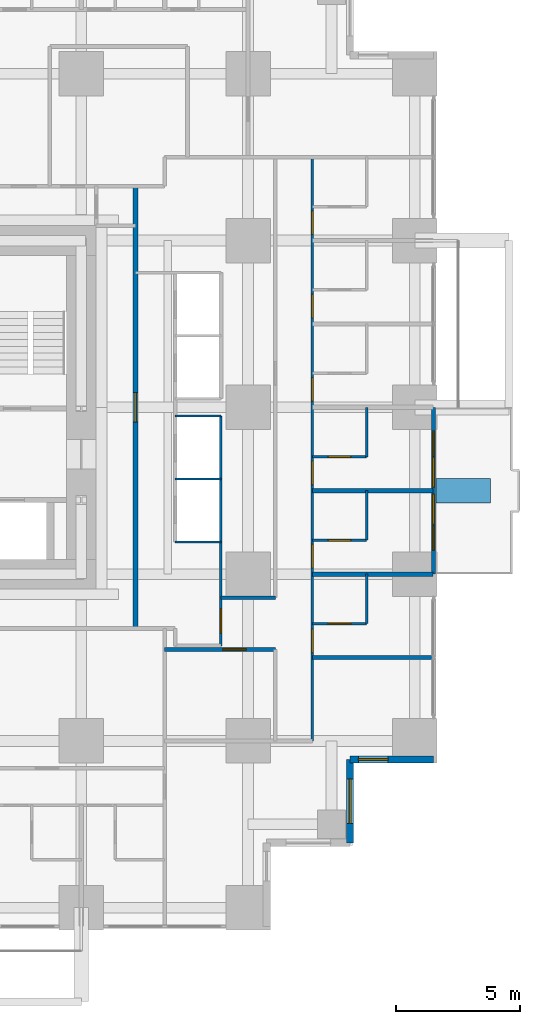
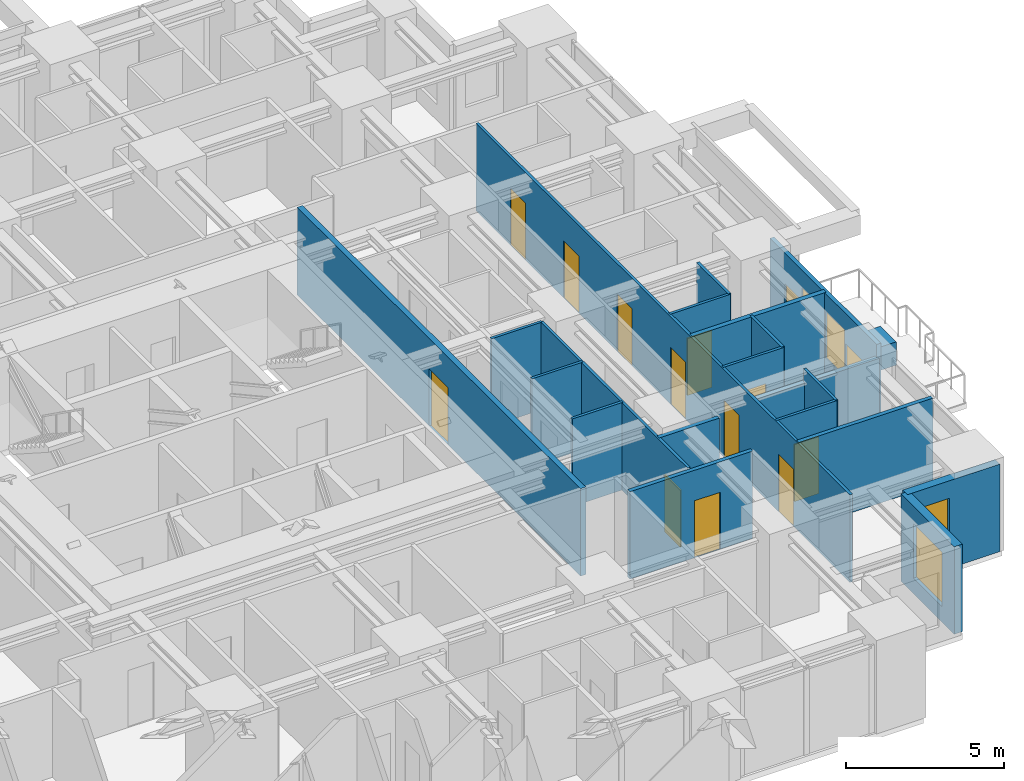
# One storey, part 11 of 15: 21 walls, 14 doors, 4 windows, 18 openings.
"""IFC4 building model written with IfcOpenShell, lengths in metres."""

from ifc_helpers import new_model, si_unit, direction, frame, frame_2d, origin, place, context, subcontext, project, spatial, rectangle, extrude, material, layer, layer_set, type_object, element, fill, save


model = new_model("IFC4")

# Units and contexts
model_context = context("Model", 3, precision=1e-05, world=origin(), true_north=direction((0.0, 1.0)))
body_context = subcontext(model_context, "Body", "Model", "MODEL_VIEW")
ifc_project = project(units=[si_unit("LENGTHUNIT", "METRE"), si_unit("AREAUNIT", "SQUARE_METRE"), si_unit("VOLUMEUNIT", "CUBIC_METRE"), si_unit("PLANEANGLEUNIT", "RADIAN"), si_unit("MASSUNIT", "GRAM", prefix="KILO")], contexts=[model_context])

# Site, building, storey
site_placement = place(None, origin())
site = spatial("IfcSite", under=ifc_project, at=site_placement, CompositionType="ELEMENT")
building_placement = place(site_placement, origin())
building = spatial("IfcBuilding", under=site, at=building_placement, Name="Nyansa Garden Tower", CompositionType="ELEMENT")
storey_placement = place(building_placement, frame((0.0, 0.0, 61.199951171875)))
storey = spatial("IfcBuildingStorey", under=building, at=storey_placement, Name="L16", CompositionType="ELEMENT", Elevation=61.199951171875)

# Walls
ifc_material_1 = material(Name="Dense blockwork, plastered both sides, 55 dB", Category="masonry")
ifc_layer_1 = layer(ifc_material_1, 0.175048828125)
ifc_layer_set_1 = layer_set([ifc_layer_1], Name="Acoustic party wall PW175")
wall_type_1 = type_object("IfcWallType", Name="Acoustic party wall PW175", PredefinedType="PARTITIONING", material=ifc_layer_set_1)
wall_1_placement = place(storey_placement, frame((36.35009765625, 13.5, 0.0), z_axis=(0.0, 0.0, 1.0), x_axis=(1.0, 0.0, 0.0)))
element("IfcWall", 1, at=wall_1_placement, inside=storey, type_object=wall_type_1, Name="Party wall", PredefinedType="PARTITIONING", context=body_context, shape_type="SweptSolid", body=[
    extrude(rectangle(XDim=4.8837890625, YDim=0.175048828125, at=frame_2d((2.44189453125, 0.0))), origin(), (0.0, 0.0, 1.0), 2.876953125),
])
wall_2_placement = place(storey_placement, frame((36.35009765625, 16.875, 0.0), z_axis=(0.0, 0.0, 1.0), x_axis=(1.0, 0.0, 0.0)))
element("IfcWall", 2, at=wall_2_placement, inside=storey, type_object=wall_type_1, Name="Party wall", PredefinedType="PARTITIONING", context=body_context, shape_type="SweptSolid", body=[
    extrude(rectangle(XDim=4.8837890625, YDim=0.175048828125, at=frame_2d((2.44189453125, 0.0))), origin(), (0.0, 0.0, 1.0), 3.375),
])

# Wall, openings, doors, windows
ifc_material_2 = material(Name="Black aluminium framed glazed screen", Category="aluminium")
ifc_layer_2 = layer(ifc_material_2, 0.14990234375)
ifc_layer_set_2 = layer_set([ifc_layer_2], Name="Balcony screen wall BW150")
wall_type_2 = type_object("IfcWallType", Name="Balcony screen wall BW150", PredefinedType="SOLIDWALL", material=ifc_layer_set_2)
wall_3_placement = place(storey_placement, frame((41.25, 20.25, 0.0), z_axis=(0.0, 0.0, 1.0), x_axis=(0.0, -1.0, 0.0)))
wall_3 = element("IfcWall", 3, at=wall_3_placement, inside=storey, type_object=wall_type_2, Name="Glazed screen wall L16 E", PredefinedType="SOLIDWALL", context=body_context, shape_type="SweptSolid", body=[
    extrude(rectangle(XDim=6.75, YDim=0.14990234375, at=frame_2d((3.375, 0.0))), origin(), (0.0, 0.0, 1.0), 3.375),
])
opening_1_placement = place(wall_3_placement, frame((0.96240234375, 0.0, 0.0)))
opening_1 = element("IfcOpeningElement", 4, at=opening_1_placement, cuts=wall_3, Name="Opening D20", PredefinedType="OPENING", context=body_context, shape_type="SweptSolid", body=[
    extrude(rectangle(XDim=1.0, YDim=2.199951171875, at=frame_2d((0.5, 1.10009765625))), frame((0.0, 0.0849609375, 0.0), z_axis=(0.0, -1.0, 0.0), x_axis=(1.0, 0.0, 0.0)), (0.0, 0.0, 1.0), 0.169921875),
])
opening_2_placement = place(wall_3_placement, frame((2.02490234375, 0.0, 0.89990234375)))
opening_2 = element("IfcOpeningElement", 5, at=opening_2_placement, cuts=wall_3, Name="Opening W6", PredefinedType="OPENING", context=body_context, shape_type="SweptSolid", body=[
    extrude(rectangle(XDim=1.199951171875, YDim=1.800048828125, at=frame_2d((0.60009765625, 0.89990234375))), frame((0.0, 0.0849609375, 0.0), z_axis=(0.0, -1.0, 0.0), x_axis=(1.0, 0.0, 0.0)), (0.0, 0.0, 1.0), 0.169921875),
])
opening_3_placement = place(wall_3_placement, frame((4.78759765625, 0.0, 0.0)))
opening_3 = element("IfcOpeningElement", 6, at=opening_3_placement, cuts=wall_3, Name="Opening D20", PredefinedType="OPENING", context=body_context, shape_type="SweptSolid", body=[
    extrude(rectangle(XDim=1.0, YDim=2.199951171875, at=frame_2d((0.5, 1.10009765625))), frame((0.0, 0.0849609375, 0.0), z_axis=(0.0, -1.0, 0.0), x_axis=(1.0, 0.0, 0.0)), (0.0, 0.0, 1.0), 0.169921875),
])
opening_4_placement = place(wall_3_placement, frame((3.52490234375, 0.0, 0.89990234375)))
opening_4 = element("IfcOpeningElement", 7, at=opening_4_placement, cuts=wall_3, Name="Opening W6", PredefinedType="OPENING", context=body_context, shape_type="SweptSolid", body=[
    extrude(rectangle(XDim=1.199951171875, YDim=1.800048828125, at=frame_2d((0.60009765625, 0.89990234375))), frame((0.0, 0.0849609375, 0.0), z_axis=(0.0, -1.0, 0.0), x_axis=(1.0, 0.0, 0.0)), (0.0, 0.0, 1.0), 0.169921875),
])
ifc_material_3 = material(Name="Black aluminium framed glazed door", Category="aluminium")
door_type_1 = type_object("IfcDoorType", Name="Balcony door D20 1000x2200", OperationType="NOTDEFINED", PredefinedType="DOOR", material=ifc_material_3)
door_1_placement = place(opening_1_placement, origin())
door_1 = element("IfcDoor", 8, at=door_1_placement, inside=storey, type_object=door_type_1, Name="Balcony door L16", OperationType="SINGLE_SWING_LEFT", OverallHeight=2.199951171875, OverallWidth=1.0, PredefinedType="DOOR", context=body_context, shape_type="SweptSolid", body=[
    extrude(rectangle(XDim=1.0, YDim=2.199951171875, at=frame_2d((0.5, 1.10009765625))), frame((0.0, 0.02490234375, 0.0), z_axis=(0.0, -1.0, 0.0), x_axis=(1.0, 0.0, 0.0)), (0.0, 0.0, 1.0), 0.050048828125),
])
fill(opening_1, door_1)
door_2_placement = place(opening_3_placement, origin())
door_2 = element("IfcDoor", 9, at=door_2_placement, inside=storey, type_object=door_type_1, Name="Balcony door L16", OperationType="SINGLE_SWING_RIGHT", OverallHeight=2.199951171875, OverallWidth=1.0, PredefinedType="DOOR", context=body_context, shape_type="SweptSolid", body=[
    extrude(rectangle(XDim=1.0, YDim=2.199951171875, at=frame_2d((0.5, 1.10009765625))), frame((0.0, 0.02490234375, 0.0), z_axis=(0.0, -1.0, 0.0), x_axis=(1.0, 0.0, 0.0)), (0.0, 0.0, 1.0), 0.050048828125),
])
fill(opening_3, door_2)
ifc_material_4 = material(Name="Black aluminium frame, dark tinted double glazing", Category="aluminium")
window_type_1 = type_object("IfcWindowType", Name="Balcony window W6 1200x1800", PartitioningType="SINGLE_PANEL", PredefinedType="WINDOW", material=ifc_material_4)
window_1_placement = place(opening_2_placement, origin())
window_1 = element("IfcWindow", 10, at=window_1_placement, inside=storey, type_object=window_type_1, Name="Window L16", OverallHeight=1.800048828125, OverallWidth=1.199951171875, PartitioningType="SINGLE_PANEL", PredefinedType="WINDOW", context=body_context, shape_type="SweptSolid", body=[
    extrude(rectangle(XDim=1.199951171875, YDim=1.800048828125, at=frame_2d((0.60009765625, 0.89990234375))), frame((0.0, 0.030029296875, 0.0), z_axis=(0.0, -1.0, 0.0), x_axis=(1.0, 0.0, 0.0)), (0.0, 0.0, 1.0), 0.06005859375),
])
fill(opening_2, window_1)
window_2_placement = place(opening_4_placement, origin())
window_2 = element("IfcWindow", 11, at=window_2_placement, inside=storey, type_object=window_type_1, Name="Window L16", OverallHeight=1.800048828125, OverallWidth=1.199951171875, PartitioningType="SINGLE_PANEL", PredefinedType="WINDOW", context=body_context, shape_type="SweptSolid", body=[
    extrude(rectangle(XDim=1.199951171875, YDim=1.800048828125, at=frame_2d((0.60009765625, 0.89990234375))), frame((0.0, 0.030029296875, 0.0), z_axis=(0.0, -1.0, 0.0), x_axis=(1.0, 0.0, 0.0)), (0.0, 0.0, 1.0), 0.06005859375),
])
fill(opening_4, window_2)

# Wall, opening, door
ifc_material_5 = material(Name="Concrete blockwork, plastered, 60 minute fire resisting", Category="masonry")
ifc_layer_3 = layer(ifc_material_5, 0.199951171875)
ifc_layer_set_3 = layer_set([ifc_layer_3], Name="Corridor wall FW200")
wall_type_3 = type_object("IfcWallType", Name="Corridor wall FW200", PredefinedType="PARTITIONING", material=ifc_layer_set_3)
wall_4_placement = place(storey_placement, frame((29.199951171875, 11.300048828125, 0.0), z_axis=(0.0, 0.0, 1.0), x_axis=(0.0, 1.0, 0.0)))
wall_4 = element("IfcWall", 12, at=wall_4_placement, inside=storey, type_object=wall_type_3, Name="Corridor wall", PredefinedType="PARTITIONING", context=body_context, shape_type="SweptSolid", body=[
    extrude(rectangle(XDim=17.89990234375, YDim=0.199951171875, at=frame_2d((8.949951171875, 0.0))), origin(), (0.0, 0.0, 1.0), 3.375),
])
opening_5_placement = place(wall_4_placement, frame((8.35009765625, 0.0, 0.0)))
opening_5 = element("IfcOpeningElement", 13, at=opening_5_placement, cuts=wall_4, Name="Opening D06", PredefinedType="OPENING", context=body_context, shape_type="SweptSolid", body=[
    extrude(rectangle(XDim=1.199951171875, YDim=2.199951171875, at=frame_2d((0.60009765625, 1.10009765625))), frame((0.0, 0.10986328125, 0.0), z_axis=(0.0, -1.0, 0.0), x_axis=(1.0, 0.0, 0.0)), (0.0, 0.0, 1.0), 0.219970703125),
])
ifc_material_6 = material(Name="Steel door, 120 minute fire resisting", Category="steel")
door_type_2 = type_object("IfcDoorType", Name="Lobby door D06 1200x2200", OperationType="DOUBLE_DOOR_SINGLE_SWING", PredefinedType="DOOR", material=ifc_material_6)
door_3_placement = place(opening_5_placement, origin())
door_3 = element("IfcDoor", 14, at=door_3_placement, inside=storey, type_object=door_type_2, Name="Low-rise lift lobby door", OperationType="DOUBLE_DOOR_SINGLE_SWING", OverallHeight=2.199951171875, OverallWidth=1.199951171875, PredefinedType="DOOR", context=body_context, shape_type="SweptSolid", body=[
    extrude(rectangle(XDim=1.199951171875, YDim=2.199951171875, at=frame_2d((0.60009765625, 1.10009765625))), frame((0.0, 0.02490234375, 0.0), z_axis=(0.0, -1.0, 0.0), x_axis=(1.0, 0.0, 0.0)), (0.0, 0.0, 1.0), 0.050048828125),
])
fill(opening_5, door_3)

# Walls
ifc_material_7 = material(Name="Steel-stud shaft wall, two layers fire-rated board, EI 120", Category="steel")
ifc_layer_4 = layer(ifc_material_7, 0.10009765625)
ifc_layer_set_4 = layer_set([ifc_layer_4], Name="Lift shaft wall SW100")
wall_type_4 = type_object("IfcWallType", Name="Lift shaft wall SW100", PredefinedType="SHEAR", material=ifc_layer_set_4)
for number, where, z_axis, x_axis, name in (
    (15, (30.800048828125, 14.800048828125, 0.0), (0.0, 0.0, 1.0), (1.0, 0.0, 0.0), "Lift shaft wall"),
    (16, (30.800048828125, 17.35009765625, 0.0), (0.0, 0.0, 1.0), (1.0, 0.0, 0.0), "Lift shaft wall"),
    (17, (30.800048828125, 19.89990234375, 0.0), (0.0, 0.0, 1.0), (1.0, 0.0, 0.0), "Lift shaft wall"),
):
    element("IfcWall", number, at=place(storey_placement, frame(where, z_axis=z_axis, x_axis=x_axis)), inside=storey, type_object=wall_type_4, Name=name, PredefinedType="SHEAR", context=body_context, shape_type="SweptSolid", body=[
        extrude(rectangle(XDim=1.849853515625, YDim=0.10009765625, at=frame_2d((0.9248046875, 0.0))), origin(), (0.0, 0.0, 1.0), 3.375),
    ])

# Wall, opening, door
wall_5_placement = place(storey_placement, frame((32.64990234375, 10.60009765625, 0.0), z_axis=(0.0, 0.0, 1.0), x_axis=(0.0, 1.0, 0.0)))
wall_5 = element("IfcWall", 18, at=wall_5_placement, inside=storey, type_object=wall_type_4, Name="Lift shaft wall", PredefinedType="SHEAR", context=body_context, shape_type="SweptSolid", body=[
    extrude(rectangle(XDim=9.2998046875, YDim=0.10009765625, at=frame_2d((4.64990234375, 0.0))), origin(), (0.0, 0.0, 1.0), 3.375),
])
opening_6_placement = place(wall_5_placement, frame((0.5, 0.0, 0.0)))
opening_6 = element("IfcOpeningElement", 19, at=opening_6_placement, cuts=wall_5, Name="Opening D03", PredefinedType="OPENING", context=body_context, shape_type="SweptSolid", body=[
    extrude(rectangle(XDim=1.0, YDim=2.199951171875, at=frame_2d((0.5, 1.10009765625))), frame((0.0, 0.06005859375, 0.0), z_axis=(0.0, -1.0, 0.0), x_axis=(1.0, 0.0, 0.0)), (0.0, 0.0, 1.0), 0.1201171875),
])
ifc_material_8 = material(Name="Timber flush door, 60 minute fire resisting", Category="wood")
door_type_3 = type_object("IfcDoorType", Name="Cluster entrance door D03 1000x2200", OperationType="SINGLE_SWING_LEFT", PredefinedType="DOOR", material=ifc_material_8)
door_4_placement = place(opening_6_placement, origin())
door_4 = element("IfcDoor", 20, at=door_4_placement, inside=storey, type_object=door_type_3, Name="Door L16-050", OperationType="SINGLE_SWING_LEFT", OverallHeight=2.199951171875, OverallWidth=1.0, PredefinedType="DOOR", context=body_context, shape_type="SweptSolid", body=[
    extrude(rectangle(XDim=1.0, YDim=2.199951171875, at=frame_2d((0.5, 1.10009765625))), frame((0.0, 0.02490234375, 0.0), z_axis=(0.0, -1.0, 0.0), x_axis=(1.0, 0.0, 0.0)), (0.0, 0.0, 1.0), 0.050048828125),
])
fill(opening_6, door_4)

ifc_material_9 = material(Name="Blockwork, plastered both sides", Category="masonry")
ifc_layer_5 = layer(ifc_material_9, 0.14990234375)
ifc_layer_set_5 = layer_set([ifc_layer_5], Name="Partition PW150")
wall_type_5 = type_object("IfcWallType", Name="Partition PW150", PredefinedType="PARTITIONING", material=ifc_layer_set_5)
wall_6_placement = place(storey_placement, frame((30.375, 10.449951171875, 0.0), z_axis=(0.0, 0.0, 1.0), x_axis=(1.0, 0.0, 0.0)))
wall_6 = element("IfcWall", 21, at=wall_6_placement, inside=storey, type_object=wall_type_5, Name="Partition", PredefinedType="PARTITIONING", context=body_context, shape_type="SweptSolid", body=[
    extrude(rectangle(XDim=4.47509765625, YDim=0.14990234375, at=frame_2d((2.237548828125, 0.0))), origin(), (0.0, 0.0, 1.0), 3.375),
])
opening_7_placement = place(wall_6_placement, frame((2.35009765625, 0.0, 0.0)))
opening_7 = element("IfcOpeningElement", 22, at=opening_7_placement, cuts=wall_6, Name="Opening D01", PredefinedType="OPENING", context=body_context, shape_type="SweptSolid", body=[
    extrude(rectangle(XDim=0.949951171875, YDim=2.199951171875, at=frame_2d((0.47509765625, 1.10009765625))), frame((0.0, 0.0849609375, 0.0), z_axis=(0.0, -1.0, 0.0), x_axis=(1.0, 0.0, 0.0)), (0.0, 0.0, 1.0), 0.169921875),
])
ifc_material_10 = material(Name="Timber flush door, 30 minute fire resisting", Category="wood")
door_type_4 = type_object("IfcDoorType", Name="Bedroom door D01 950x2200", OperationType="SINGLE_SWING_LEFT", PredefinedType="DOOR", material=ifc_material_10)
door_5_placement = place(opening_7_placement, origin())
door_5 = element("IfcDoor", 23, at=door_5_placement, inside=storey, type_object=door_type_4, Name="Door L16-052", OperationType="SINGLE_SWING_LEFT", OverallHeight=2.199951171875, OverallWidth=0.949951171875, PredefinedType="DOOR", context=body_context, shape_type="SweptSolid", body=[
    extrude(rectangle(XDim=0.949951171875, YDim=2.199951171875, at=frame_2d((0.47509765625, 1.10009765625))), frame((0.0, 0.02490234375, 0.0), z_axis=(0.0, -1.0, 0.0), x_axis=(1.0, 0.0, 0.0)), (0.0, 0.0, 1.0), 0.050048828125),
])
fill(opening_7, door_5)

# Walls
wall_7_placement = place(storey_placement, frame((32.64990234375, 12.550048828125, 0.0), z_axis=(0.0, 0.0, 1.0), x_axis=(1.0, 0.0, 0.0)))
element("IfcWall", 24, at=wall_7_placement, inside=storey, type_object=wall_type_5, Name="Partition", PredefinedType="PARTITIONING", context=body_context, shape_type="SweptSolid", body=[
    extrude(rectangle(XDim=2.2001953125, YDim=0.14990234375, at=frame_2d((1.10009765625, 0.0))), origin(), (0.0, 0.0, 1.0), 3.375),
])
wall_8_placement = place(storey_placement, frame((36.35009765625, 10.125, 0.0), z_axis=(0.0, 0.0, 1.0), x_axis=(1.0, 0.0, 0.0)))
element("IfcWall", 25, at=wall_8_placement, inside=storey, type_object=wall_type_5, Name="Partition", PredefinedType="PARTITIONING", context=body_context, shape_type="SweptSolid", body=[
    extrude(rectangle(XDim=4.8837890625, YDim=0.14990234375, at=frame_2d((2.44189453125, 0.0))), origin(), (0.0, 0.0, 1.0), 3.375),
])

# Wall, opening, window
ifc_material_11 = material(Name="Turquoise glazed tile on concrete blockwork", Category="masonry")
ifc_layer_6 = layer(ifc_material_11, 0.300048828125)
ifc_layer_set_6 = layer_set([ifc_layer_6], Name="Tiled corner wall TW300")
wall_type_6 = type_object("IfcWallType", Name="Tiled corner wall TW300", PredefinedType="SOLIDWALL", material=ifc_layer_set_6)
wall_9_placement = place(storey_placement, frame((37.875, 2.625, 0.0), z_axis=(0.0, 0.0, 1.0), x_axis=(0.0, 1.0, 0.0)))
wall_9 = element("IfcWall", 26, at=wall_9_placement, inside=storey, type_object=wall_type_6, Name="Tiled corner wall L16", PredefinedType="SOLIDWALL", context=body_context, shape_type="SweptSolid", body=[
    extrude(rectangle(XDim=3.375, YDim=0.300048828125, at=frame_2d((1.6875, 0.0))), origin(), (0.0, 0.0, 1.0), 3.375),
])
opening_8_placement = place(wall_9_placement, frame((0.78759765625, 0.0, 0.60009765625)))
opening_8 = element("IfcOpeningElement", 27, at=opening_8_placement, cuts=wall_9, Name="Opening W2", PredefinedType="OPENING", context=body_context, shape_type="SweptSolid", body=[
    extrude(rectangle(XDim=1.800048828125, YDim=2.10009765625, at=frame_2d((0.89990234375, 1.050048828125))), frame((0.0, 0.159912109375, 0.0), z_axis=(0.0, -1.0, 0.0), x_axis=(1.0, 0.0, 0.0)), (0.0, 0.0, 1.0), 0.320068359375),
])
ifc_material_12 = material(Name="Black aluminium frame, dark tinted double glazing", Category="aluminium")
window_type_2 = type_object("IfcWindowType", Name="Window W2 1800x2100", PartitioningType="SINGLE_PANEL", PredefinedType="WINDOW", material=ifc_material_12)
window_3_placement = place(opening_8_placement, origin())
window_3 = element("IfcWindow", 28, at=window_3_placement, inside=storey, type_object=window_type_2, Name="Corner window L16", OverallHeight=2.10009765625, OverallWidth=1.800048828125, PartitioningType="SINGLE_PANEL", PredefinedType="WINDOW", context=body_context, shape_type="SweptSolid", body=[
    extrude(rectangle(XDim=1.800048828125, YDim=2.10009765625, at=frame_2d((0.89990234375, 1.050048828125))), frame((0.0, 0.030029296875, 0.0), z_axis=(0.0, -1.0, 0.0), x_axis=(1.0, 0.0, 0.0)), (0.0, 0.0, 1.0), 0.06005859375),
])
fill(opening_8, window_3)

wall_10_placement = place(storey_placement, frame((37.875, 6.0, 0.0), z_axis=(0.0, 0.0, 1.0), x_axis=(1.0, 0.0, 0.0)))
wall_10 = element("IfcWall", 29, at=wall_10_placement, inside=storey, type_object=wall_type_6, Name="Tiled corner wall L16", PredefinedType="SOLIDWALL", context=body_context, shape_type="SweptSolid", body=[
    extrude(rectangle(XDim=3.375, YDim=0.300048828125, at=frame_2d((1.6875, 0.0))), origin(), (0.0, 0.0, 1.0), 3.375),
])
opening_9_placement = place(wall_10_placement, frame((0.342529296875, 0.0, 0.89990234375)))
opening_9 = element("IfcOpeningElement", 30, at=opening_9_placement, cuts=wall_10, Name="Opening W4", PredefinedType="OPENING", context=body_context, shape_type="SweptSolid", body=[
    extrude(rectangle(XDim=1.199951171875, YDim=1.800048828125, at=frame_2d((0.60009765625, 0.89990234375))), frame((0.0, 0.159912109375, 0.0), z_axis=(0.0, -1.0, 0.0), x_axis=(1.0, 0.0, 0.0)), (0.0, 0.0, 1.0), 0.320068359375),
])
ifc_material_13 = material(Name="Black aluminium frame, dark tinted double glazing", Category="aluminium")
window_type_3 = type_object("IfcWindowType", Name="Window W4 1200x1800", PartitioningType="SINGLE_PANEL", PredefinedType="WINDOW", material=ifc_material_13)
window_4_placement = place(opening_9_placement, origin())
window_4 = element("IfcWindow", 31, at=window_4_placement, inside=storey, type_object=window_type_3, Name="Corner window L16", OverallHeight=1.800048828125, OverallWidth=1.199951171875, PartitioningType="SINGLE_PANEL", PredefinedType="WINDOW", context=body_context, shape_type="SweptSolid", body=[
    extrude(rectangle(XDim=1.199951171875, YDim=1.800048828125, at=frame_2d((0.60009765625, 0.89990234375))), frame((0.0, 0.030029296875, 0.0), z_axis=(0.0, -1.0, 0.0), x_axis=(1.0, 0.0, 0.0)), (0.0, 0.0, 1.0), 0.06005859375),
])
fill(opening_9, window_4)

# Wall
ifc_material_14 = material(Name="Concrete C40/50 planter, waterproofed", Category="concrete")
ifc_layer_7 = layer(ifc_material_14, 1.0)
ifc_layer_set_7 = layer_set([ifc_layer_7], Name="Tree planter TP1")
wall_type_7 = type_object("IfcWallType", Name="Tree planter TP1", PredefinedType="USERDEFINED", material=ifc_layer_set_7)
wall_11_placement = place(storey_placement, frame((41.35009765625, 16.875, 0.0), z_axis=(0.0, 0.0, 1.0), x_axis=(1.0, 0.0, 0.0)))
element("IfcWall", 32, at=wall_11_placement, inside=storey, type_object=wall_type_7, Name="Tree planter L16", ObjectType="TREE PLANTER", PredefinedType="USERDEFINED", context=body_context, shape_type="SweptSolid", body=[
    extrude(rectangle(XDim=2.199951171875, YDim=1.0, at=frame_2d((1.10009765625, 0.0))), origin(), (0.0, 0.0, 1.0), 0.900146484375),
])

# Wall, openings, doors
ifc_material_15 = material(Name="Moisture resistant board on steel studs, tiled", Category="steel")
ifc_layer_8 = layer(ifc_material_15, 0.10009765625)
ifc_layer_set_8 = layer_set([ifc_layer_8], Name="Wet wall PW100")
wall_type_8 = type_object("IfcWallType", Name="Wet wall PW100", PredefinedType="PARTITIONING", material=ifc_layer_set_8)
wall_12_placement = place(storey_placement, frame((36.35009765625, 6.75, 0.0), z_axis=(0.0, 0.0, 1.0), x_axis=(0.0, 1.0, 0.0)))
wall_12 = element("IfcWall", 33, at=wall_12_placement, inside=storey, type_object=wall_type_8, Name="Wet wall", PredefinedType="PARTITIONING", context=body_context, shape_type="SweptSolid", body=[
    extrude(rectangle(XDim=23.625, YDim=0.10009765625, at=frame_2d((11.8125, 0.0))), origin(), (0.0, 0.0, 1.0), 3.375),
])
opening_10_placement = place(wall_12_placement, frame((3.574951171875, 0.0, 0.0)))
opening_10 = element("IfcOpeningElement", 34, at=opening_10_placement, cuts=wall_12, Name="Opening D14", PredefinedType="OPENING", context=body_context, shape_type="SweptSolid", body=[
    extrude(rectangle(XDim=0.949951171875, YDim=2.199951171875, at=frame_2d((0.47509765625, 1.10009765625))), frame((0.0, 0.06005859375, 0.0), z_axis=(0.0, -1.0, 0.0), x_axis=(1.0, 0.0, 0.0)), (0.0, 0.0, 1.0), 0.1201171875),
])
opening_11_placement = place(wall_12_placement, frame((7.0, 0.0, 0.0)))
opening_11 = element("IfcOpeningElement", 35, at=opening_11_placement, cuts=wall_12, Name="Opening D14", PredefinedType="OPENING", context=body_context, shape_type="SweptSolid", body=[
    extrude(rectangle(XDim=0.949951171875, YDim=2.199951171875, at=frame_2d((0.47509765625, 1.10009765625))), frame((0.0, 0.06005859375, 0.0), z_axis=(0.0, -1.0, 0.0), x_axis=(1.0, 0.0, 0.0)), (0.0, 0.0, 1.0), 0.1201171875),
])
opening_12_placement = place(wall_12_placement, frame((10.375, 0.0, 0.0)))
opening_12 = element("IfcOpeningElement", 36, at=opening_12_placement, cuts=wall_12, Name="Opening D14", PredefinedType="OPENING", context=body_context, shape_type="SweptSolid", body=[
    extrude(rectangle(XDim=0.949951171875, YDim=2.199951171875, at=frame_2d((0.47509765625, 1.10009765625))), frame((0.0, 0.06005859375, 0.0), z_axis=(0.0, -1.0, 0.0), x_axis=(1.0, 0.0, 0.0)), (0.0, 0.0, 1.0), 0.1201171875),
])
opening_13_placement = place(wall_12_placement, frame((13.75, 0.0, 0.0)))
opening_13 = element("IfcOpeningElement", 37, at=opening_13_placement, cuts=wall_12, Name="Opening D14", PredefinedType="OPENING", context=body_context, shape_type="SweptSolid", body=[
    extrude(rectangle(XDim=0.949951171875, YDim=2.199951171875, at=frame_2d((0.47509765625, 1.10009765625))), frame((0.0, 0.06005859375, 0.0), z_axis=(0.0, -1.0, 0.0), x_axis=(1.0, 0.0, 0.0)), (0.0, 0.0, 1.0), 0.1201171875),
])
opening_14_placement = place(wall_12_placement, frame((17.125, 0.0, 0.0)))
opening_14 = element("IfcOpeningElement", 38, at=opening_14_placement, cuts=wall_12, Name="Opening D14", PredefinedType="OPENING", context=body_context, shape_type="SweptSolid", body=[
    extrude(rectangle(XDim=0.949951171875, YDim=2.199951171875, at=frame_2d((0.47509765625, 1.10009765625))), frame((0.0, 0.06005859375, 0.0), z_axis=(0.0, -1.0, 0.0), x_axis=(1.0, 0.0, 0.0)), (0.0, 0.0, 1.0), 0.1201171875),
])
opening_15_placement = place(wall_12_placement, frame((20.5, 0.0, 0.0)))
opening_15 = element("IfcOpeningElement", 39, at=opening_15_placement, cuts=wall_12, Name="Opening D14", PredefinedType="OPENING", context=body_context, shape_type="SweptSolid", body=[
    extrude(rectangle(XDim=0.949951171875, YDim=2.199951171875, at=frame_2d((0.47509765625, 1.10009765625))), frame((0.0, 0.06005859375, 0.0), z_axis=(0.0, -1.0, 0.0), x_axis=(1.0, 0.0, 0.0)), (0.0, 0.0, 1.0), 0.1201171875),
])
ifc_material_16 = material(Name="Timber flush door, 60 minute fire resisting, self-closing", Category="wood")
door_type_5 = type_object("IfcDoorType", Name="Studio entrance door D14 950x2200", OperationType="SINGLE_SWING_LEFT", PredefinedType="DOOR", material=ifc_material_16)
door_6_placement = place(opening_10_placement, origin())
door_6 = element("IfcDoor", 40, at=door_6_placement, inside=storey, type_object=door_type_5, Name="Door L16-038", OperationType="SINGLE_SWING_LEFT", OverallHeight=2.199951171875, OverallWidth=0.949951171875, PredefinedType="DOOR", context=body_context, shape_type="SweptSolid", body=[
    extrude(rectangle(XDim=0.949951171875, YDim=2.199951171875, at=frame_2d((0.47509765625, 1.10009765625))), frame((0.0, 0.02490234375, 0.0), z_axis=(0.0, -1.0, 0.0), x_axis=(1.0, 0.0, 0.0)), (0.0, 0.0, 1.0), 0.050048828125),
])
fill(opening_10, door_6)
door_7_placement = place(opening_11_placement, origin())
door_7 = element("IfcDoor", 41, at=door_7_placement, inside=storey, type_object=door_type_5, Name="Door L16-040", OperationType="SINGLE_SWING_LEFT", OverallHeight=2.199951171875, OverallWidth=0.949951171875, PredefinedType="DOOR", context=body_context, shape_type="SweptSolid", body=[
    extrude(rectangle(XDim=0.949951171875, YDim=2.199951171875, at=frame_2d((0.47509765625, 1.10009765625))), frame((0.0, 0.02490234375, 0.0), z_axis=(0.0, -1.0, 0.0), x_axis=(1.0, 0.0, 0.0)), (0.0, 0.0, 1.0), 0.050048828125),
])
fill(opening_11, door_7)
door_8_placement = place(opening_12_placement, origin())
door_8 = element("IfcDoor", 42, at=door_8_placement, inside=storey, type_object=door_type_5, Name="Door L16-042", OperationType="SINGLE_SWING_LEFT", OverallHeight=2.199951171875, OverallWidth=0.949951171875, PredefinedType="DOOR", context=body_context, shape_type="SweptSolid", body=[
    extrude(rectangle(XDim=0.949951171875, YDim=2.199951171875, at=frame_2d((0.47509765625, 1.10009765625))), frame((0.0, 0.02490234375, 0.0), z_axis=(0.0, -1.0, 0.0), x_axis=(1.0, 0.0, 0.0)), (0.0, 0.0, 1.0), 0.050048828125),
])
fill(opening_12, door_8)
door_9_placement = place(opening_13_placement, origin())
door_9 = element("IfcDoor", 43, at=door_9_placement, inside=storey, type_object=door_type_5, Name="Door L16-044", OperationType="SINGLE_SWING_LEFT", OverallHeight=2.199951171875, OverallWidth=0.949951171875, PredefinedType="DOOR", context=body_context, shape_type="SweptSolid", body=[
    extrude(rectangle(XDim=0.949951171875, YDim=2.199951171875, at=frame_2d((0.47509765625, 1.10009765625))), frame((0.0, 0.02490234375, 0.0), z_axis=(0.0, -1.0, 0.0), x_axis=(1.0, 0.0, 0.0)), (0.0, 0.0, 1.0), 0.050048828125),
])
fill(opening_13, door_9)
door_10_placement = place(opening_14_placement, origin())
door_10 = element("IfcDoor", 44, at=door_10_placement, inside=storey, type_object=door_type_5, Name="Door L16-046", OperationType="SINGLE_SWING_LEFT", OverallHeight=2.199951171875, OverallWidth=0.949951171875, PredefinedType="DOOR", context=body_context, shape_type="SweptSolid", body=[
    extrude(rectangle(XDim=0.949951171875, YDim=2.199951171875, at=frame_2d((0.47509765625, 1.10009765625))), frame((0.0, 0.02490234375, 0.0), z_axis=(0.0, -1.0, 0.0), x_axis=(1.0, 0.0, 0.0)), (0.0, 0.0, 1.0), 0.050048828125),
])
fill(opening_14, door_10)
door_11_placement = place(opening_15_placement, origin())
door_11 = element("IfcDoor", 45, at=door_11_placement, inside=storey, type_object=door_type_5, Name="Door L16-048", OperationType="SINGLE_SWING_LEFT", OverallHeight=2.199951171875, OverallWidth=0.949951171875, PredefinedType="DOOR", context=body_context, shape_type="SweptSolid", body=[
    extrude(rectangle(XDim=0.949951171875, YDim=2.199951171875, at=frame_2d((0.47509765625, 1.10009765625))), frame((0.0, 0.02490234375, 0.0), z_axis=(0.0, -1.0, 0.0), x_axis=(1.0, 0.0, 0.0)), (0.0, 0.0, 1.0), 0.050048828125),
])
fill(opening_15, door_11)

# Wall, opening, door
wall_13_placement = place(storey_placement, frame((36.35009765625, 11.5, 0.0), z_axis=(0.0, 0.0, 1.0), x_axis=(1.0, 0.0, 0.0)))
wall_13 = element("IfcWall", 46, at=wall_13_placement, inside=storey, type_object=wall_type_8, Name="Wet wall", PredefinedType="PARTITIONING", context=body_context, shape_type="SweptSolid", body=[
    extrude(rectangle(XDim=2.199951171875, YDim=0.10009765625, at=frame_2d((1.10009765625, 0.0))), origin(), (0.0, 0.0, 1.0), 3.375),
])
opening_16_placement = place(wall_13_placement, frame((0.64990234375, 0.0, 0.0)))
opening_16 = element("IfcOpeningElement", 47, at=opening_16_placement, cuts=wall_13, Name="Opening D02", PredefinedType="OPENING", context=body_context, shape_type="SweptSolid", body=[
    extrude(rectangle(XDim=0.89990234375, YDim=2.199951171875, at=frame_2d((0.449951171875, 1.10009765625))), frame((0.0, 0.06005859375, 0.0), z_axis=(0.0, -1.0, 0.0), x_axis=(1.0, 0.0, 0.0)), (0.0, 0.0, 1.0), 0.1201171875),
])
ifc_material_17 = material(Name="Timber flush door", Category="wood")
door_type_6 = type_object("IfcDoorType", Name="En-suite door D02 900x2200", OperationType="SINGLE_SWING_RIGHT", PredefinedType="DOOR", material=ifc_material_17)
door_12_placement = place(opening_16_placement, origin())
door_12 = element("IfcDoor", 48, at=door_12_placement, inside=storey, type_object=door_type_6, Name="Door L16-039", OperationType="SINGLE_SWING_RIGHT", OverallHeight=2.199951171875, OverallWidth=0.89990234375, PredefinedType="DOOR", context=body_context, shape_type="SweptSolid", body=[
    extrude(rectangle(XDim=0.89990234375, YDim=2.199951171875, at=frame_2d((0.449951171875, 1.10009765625))), frame((0.0, 0.02490234375, 0.0), z_axis=(0.0, -1.0, 0.0), x_axis=(1.0, 0.0, 0.0)), (0.0, 0.0, 1.0), 0.050048828125),
])
fill(opening_16, door_12)

wall_14_placement = place(storey_placement, frame((36.35009765625, 14.875, 0.0), z_axis=(0.0, 0.0, 1.0), x_axis=(1.0, 0.0, 0.0)))
wall_14 = element("IfcWall", 49, at=wall_14_placement, inside=storey, type_object=wall_type_8, Name="Wet wall", PredefinedType="PARTITIONING", context=body_context, shape_type="SweptSolid", body=[
    extrude(rectangle(XDim=2.199951171875, YDim=0.10009765625, at=frame_2d((1.10009765625, 0.0))), origin(), (0.0, 0.0, 1.0), 3.375),
])
opening_17_placement = place(wall_14_placement, frame((0.64990234375, 0.0, 0.0)))
opening_17 = element("IfcOpeningElement", 50, at=opening_17_placement, cuts=wall_14, Name="Opening D02", PredefinedType="OPENING", context=body_context, shape_type="SweptSolid", body=[
    extrude(rectangle(XDim=0.89990234375, YDim=2.199951171875, at=frame_2d((0.449951171875, 1.10009765625))), frame((0.0, 0.06005859375, 0.0), z_axis=(0.0, -1.0, 0.0), x_axis=(1.0, 0.0, 0.0)), (0.0, 0.0, 1.0), 0.1201171875),
])
door_13_placement = place(opening_17_placement, origin())
door_13 = element("IfcDoor", 51, at=door_13_placement, inside=storey, type_object=door_type_6, Name="Door L16-041", OperationType="SINGLE_SWING_RIGHT", OverallHeight=2.199951171875, OverallWidth=0.89990234375, PredefinedType="DOOR", context=body_context, shape_type="SweptSolid", body=[
    extrude(rectangle(XDim=0.89990234375, YDim=2.199951171875, at=frame_2d((0.449951171875, 1.10009765625))), frame((0.0, 0.02490234375, 0.0), z_axis=(0.0, -1.0, 0.0), x_axis=(1.0, 0.0, 0.0)), (0.0, 0.0, 1.0), 0.050048828125),
])
fill(opening_17, door_13)

wall_15_placement = place(storey_placement, frame((36.35009765625, 18.25, 0.0), z_axis=(0.0, 0.0, 1.0), x_axis=(1.0, 0.0, 0.0)))
wall_15 = element("IfcWall", 52, at=wall_15_placement, inside=storey, type_object=wall_type_8, Name="Wet wall", PredefinedType="PARTITIONING", context=body_context, shape_type="SweptSolid", body=[
    extrude(rectangle(XDim=2.199951171875, YDim=0.10009765625, at=frame_2d((1.10009765625, 0.0))), origin(), (0.0, 0.0, 1.0), 3.375),
])
opening_18_placement = place(wall_15_placement, frame((0.64990234375, 0.0, 0.0)))
opening_18 = element("IfcOpeningElement", 53, at=opening_18_placement, cuts=wall_15, Name="Opening D02", PredefinedType="OPENING", context=body_context, shape_type="SweptSolid", body=[
    extrude(rectangle(XDim=0.89990234375, YDim=2.199951171875, at=frame_2d((0.449951171875, 1.10009765625))), frame((0.0, 0.06005859375, 0.0), z_axis=(0.0, -1.0, 0.0), x_axis=(1.0, 0.0, 0.0)), (0.0, 0.0, 1.0), 0.1201171875),
])
door_14_placement = place(opening_18_placement, origin())
door_14 = element("IfcDoor", 54, at=door_14_placement, inside=storey, type_object=door_type_6, Name="Door L16-043", OperationType="SINGLE_SWING_RIGHT", OverallHeight=2.199951171875, OverallWidth=0.89990234375, PredefinedType="DOOR", context=body_context, shape_type="SweptSolid", body=[
    extrude(rectangle(XDim=0.89990234375, YDim=2.199951171875, at=frame_2d((0.449951171875, 1.10009765625))), frame((0.0, 0.02490234375, 0.0), z_axis=(0.0, -1.0, 0.0), x_axis=(1.0, 0.0, 0.0)), (0.0, 0.0, 1.0), 0.050048828125),
])
fill(opening_18, door_14)

# Walls
for number, where, z_axis, x_axis, name in (
    (55, (38.550048828125, 11.5, 0.0), (0.0, 0.0, 1.0), (0.0, 1.0, 0.0), "Wet wall"),
    (56, (38.550048828125, 14.875, 0.0), (0.0, 0.0, 1.0), (0.0, 1.0, 0.0), "Wet wall"),
    (57, (38.550048828125, 18.25, 0.0), (0.0, 0.0, 1.0), (0.0, 1.0, 0.0), "Wet wall"),
):
    element("IfcWall", number, at=place(storey_placement, frame(where, z_axis=z_axis, x_axis=x_axis)), inside=storey, type_object=wall_type_8, Name=name, PredefinedType="PARTITIONING", context=body_context, shape_type="SweptSolid", body=[
        extrude(rectangle(XDim=2.0, YDim=0.10009765625, at=frame_2d((1.0, 0.0))), origin(), (0.0, 0.0, 1.0), 3.375),
    ])

save(model, "model.ifc")
